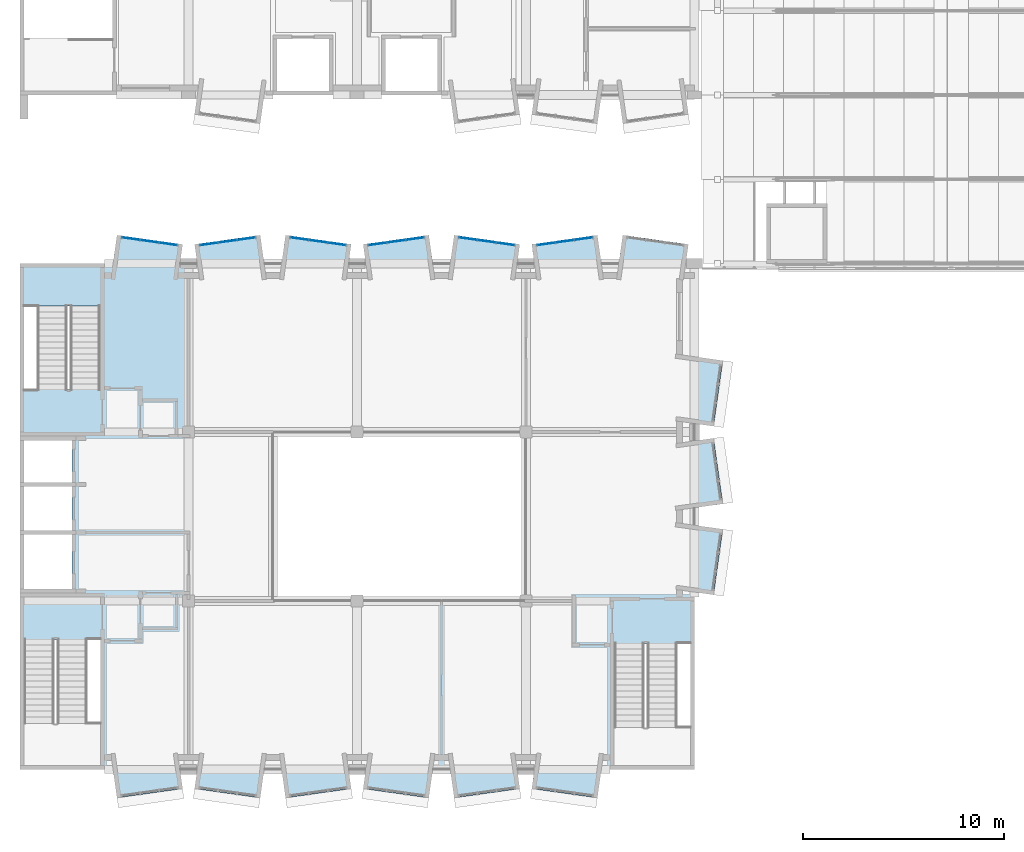
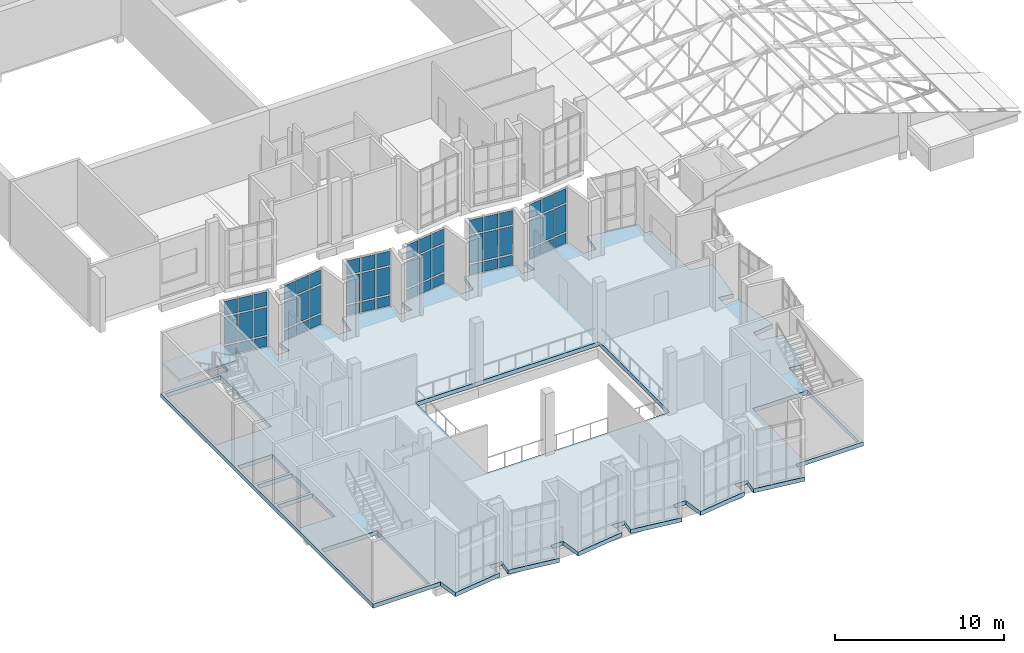
# One storey, part 69 of 95: 54 plates, 2 slabs, 7 elements without a shape of their own.
"""IFC4 building model written with IfcOpenShell, lengths in metres."""

from ifc_helpers import new_model, si_unit, direction, frame, origin, origin_2d, place, context, subcontext, project, spatial, polyline, rectangle, outline, extrude, material, layer, layer_set, type_object, element, aggregate, save


model = new_model("IFC4")

# Units and contexts
model_context = context("Model", 3, precision=1e-05, world=origin(), true_north=direction((0.0, 1.0)))
body_context = subcontext(model_context, "Body", "Model", "MODEL_VIEW")
ifc_project = project(units=[si_unit("LENGTHUNIT", "METRE"), si_unit("AREAUNIT", "SQUARE_METRE"), si_unit("VOLUMEUNIT", "CUBIC_METRE"), si_unit("PLANEANGLEUNIT", "RADIAN"), si_unit("MASSUNIT", "GRAM", prefix="KILO")], contexts=[model_context])

# Site, building, storey
site_placement = place(None, origin())
site = spatial("IfcSite", under=ifc_project, at=site_placement, CompositionType="ELEMENT")
building_placement = place(site_placement, origin())
building = spatial("IfcBuilding", under=site, at=building_placement, Name="Kiln Court Media Centre", CompositionType="ELEMENT")
storey_placement = place(building_placement, frame((0.0, 0.0, 24.60009765625)))
storey = spatial("IfcBuildingStorey", under=building, at=storey_placement, Name="L05", CompositionType="ELEMENT", Elevation=24.60009765625)

# Slab
ifc_material_1 = material(Name="Concrete C30/37", Category="concrete")
ifc_layer_1 = layer(ifc_material_1, 0.300048828125)
ifc_layer_set_1 = layer_set([ifc_layer_1], Name="Concrete C30/37 floor slab 300")
slab_type_1 = type_object("IfcSlabType", Name="Concrete C30/37 floor slab 300", PredefinedType="FLOOR", material=ifc_layer_set_1)
slab_1_placement = place(storey_placement, frame((0.0, 0.0, -0.300048828125)))
element("IfcSlab", 1, at=slab_1_placement, inside=storey, type_object=slab_type_1, Name="L05-SL-1000", PredefinedType="FLOOR", context=body_context, shape_type="SweptSolid", body=[
    extrude(outline(polyline([(4.8330078125, -1.41845703125), (4.63330078125, 0.0), (0.0, 0.0), (0.0, 25.199951171875), (4.63330078125, 25.199951171875), (4.8330078125, 26.618408203125), (8.10107421875, 26.1591796875), (7.966796875, 25.199951171875), (8.833251953125, 25.199951171875), (8.698974609375, 26.1591796875), (11.966796875, 26.618408203125), (12.166748046875, 25.199951171875), (13.033203125, 25.199951171875), (13.23291015625, 26.618408203125), (16.501220703125, 26.1591796875), (16.36669921875, 25.199951171875), (17.2333984375, 25.199951171875), (17.098876953125, 26.1591796875), (20.366943359375, 26.618408203125), (20.566650390625, 25.199951171875), (21.433349609375, 25.199951171875), (21.633056640625, 26.618408203125), (24.901123046875, 26.1591796875), (24.7666015625, 25.199951171875), (25.63330078125, 25.199951171875), (25.498779296875, 26.1591796875), (28.766845703125, 26.618408203125), (28.966796875, 25.199951171875), (29.833251953125, 25.199951171875), (30.032958984375, 26.618408203125), (33.30126953125, 26.1591796875), (33.166748046875, 25.199951171875), (33.60009765625, 25.199951171875), (33.60009765625, 20.566650390625), (35.0185546875, 20.366943359375), (34.55908203125, 17.098876953125), (33.60009765625, 17.2333984375), (33.60009765625, 16.36669921875), (34.55908203125, 16.501220703125), (35.0185546875, 13.233154296875), (33.60009765625, 13.033203125), (33.60009765625, 12.166748046875), (35.0185546875, 11.966796875), (34.55908203125, 8.698974609375), (33.60009765625, 8.833251953125), (33.60009765625, 0.0), (28.966796875, 0.0), (28.766845703125, -1.41845703125), (25.498779296875, -0.958984375), (25.63330078125, 0.0), (24.7666015625, 0.0), (24.901123046875, -0.959228515625), (21.633056640625, -1.41845703125), (21.433349609375, 0.0), (20.566650390625, 0.0), (20.366943359375, -1.41845703125), (17.098876953125, -0.958984375), (17.2333984375, 0.0), (16.36669921875, 0.0), (16.501220703125, -0.959228515625), (13.233154296875, -1.41845703125), (13.033203125, 0.0), (12.166748046875, 0.0), (11.966796875, -1.41845703125), (8.698974609375, -0.959228515625), (8.833251953125, 0.0), (7.966796875, 0.0), (8.10107421875, -0.958984375), (4.8330078125, -1.41845703125)]), holes=[polyline([(0.199951171875, 0.199951171875), (4.0, 0.199951171875), (4.0, 6.4599609375), (0.199951171875, 6.4599609375), (0.199951171875, 0.199951171875)]), polyline([(29.60009765625, 0.199951171875), (33.39990234375, 0.199951171875), (33.39990234375, 6.260009765625), (29.60009765625, 6.260009765625), (29.60009765625, 0.199951171875)]), polyline([(12.60009765625, 8.39990234375), (25.199951171875, 8.39990234375), (25.199951171875, 16.800048828125), (12.60009765625, 16.800048828125), (12.60009765625, 8.39990234375)]), polyline([(0.199951171875, 9.0), (2.60009765625, 9.0), (2.60009765625, 11.699951171875), (0.199951171875, 11.699951171875), (0.199951171875, 9.0)]), polyline([(0.199951171875, 11.89990234375), (2.60009765625, 11.89990234375), (2.60009765625, 14.10009765625), (0.199951171875, 14.10009765625), (0.199951171875, 11.89990234375)]), polyline([(0.199951171875, 14.300048828125), (2.60009765625, 14.300048828125), (2.60009765625, 16.39990234375), (0.199951171875, 16.39990234375), (0.199951171875, 14.300048828125)]), polyline([(0.199951171875, 18.93994140625), (4.0, 18.93994140625), (4.0, 25.0), (0.199951171875, 25.0), (0.199951171875, 18.93994140625)])]), origin(), (0.0, 0.0, 1.0), 0.300048828125),
])

# Stair, slab
ifc_material_2 = material(Name="Concrete C40/50", Category="concrete")
stair_type = type_object("IfcStairType", Name="Concrete C40/50 dog-leg stair 1500 wide, 150 riser", PredefinedType="HALF_TURN_STAIR", material=ifc_material_2)
stair_placement = place(storey_placement, origin())
stair = element("IfcStair", 2, at=stair_placement, inside=storey, type_object=stair_type, Name="ST-02 L05", PredefinedType="HALF_TURN_STAIR")
ifc_material_3 = material(Name="Concrete C40/50", Category="concrete")
ifc_layer_2 = layer(ifc_material_3, 0.199951171875)
ifc_layer_set_2 = layer_set([ifc_layer_2], Name="Concrete C40/50 stair landing 200")
slab_type_2 = type_object("IfcSlabType", Name="Concrete C40/50 stair landing 200", PredefinedType="LANDING", material=ifc_layer_set_2)
slab_2_placement = place(storey_placement, frame((0.0, 0.0, 2.0498046875)))
slab_2 = element("IfcSlab", 3, at=slab_2_placement, type_object=slab_type_2, Name="L05-ST-5001 landing 5001", PredefinedType="LANDING", context=body_context, shape_type="SweptSolid", body=[
    extrude(outline(polyline([(4.1201171875, 23.10009765625), (4.1201171875, 25.1201171875), (0.080078125, 25.1201171875), (0.080078125, 23.10009765625), (4.1201171875, 23.10009765625)])), origin(), (0.0, 0.0, 1.0), 0.2001953125),
])
aggregate(stair, [slab_2])

# Curtain wall, plates
ifc_material_4 = material(Name="Aluminium 6063-T6", Category="aluminium")
ifc_layer_3 = layer(ifc_material_4, 0.1201171875)
ifc_layer_set_3 = layer_set([ifc_layer_3], Name="Aluminium unitised bay curtain wall")
curtain_wall_type = type_object("IfcCurtainWallType", Name="Aluminium unitised bay curtain wall", PredefinedType="USERDEFINED", material=ifc_layer_set_3)
curtain_wall_1_placement = place(storey_placement, origin())
curtain_wall_1 = element("IfcCurtainWall", 4, at=curtain_wall_1_placement, inside=storey, type_object=curtain_wall_type, Name="BAY V6A-N-L05-30 front", ObjectType="UNITISED CURTAIN WALL", PredefinedType="USERDEFINED")
ifc_material_5 = material(Name="Aluminium insulated spandrel", Category="aluminium")
ifc_layer_4 = layer(ifc_material_5, 0.028076171875)
ifc_layer_set_4 = layer_set([ifc_layer_4], Name="Insulated spandrel panel 28")
plate_type_1 = type_object("IfcPlateType", Name="Insulated spandrel panel 28", PredefinedType="CURTAIN_PANEL", material=ifc_layer_set_4)
plate_1_placement = place(storey_placement, frame((5.5234375, 26.440185546875, 0.1201171875), z_axis=(0.0, 0.0, 1.0), x_axis=(0.990269562409, -0.139162472554, 0.0)))
plate_1 = element("IfcPlate", 5, at=plate_1_placement, type_object=plate_type_1, Name="CW5-08 panel 1.1", PredefinedType="CURTAIN_PANEL", context=body_context, shape_type="SweptSolid", body=[
    extrude(rectangle(XDim=0.86669921875, YDim=0.028076171875, at=origin_2d()), origin(), (0.0, 0.0, 1.0), 0.719970703125),
])
plate_2_placement = place(storey_placement, frame((6.455810546875, 26.30908203125, 0.1201171875), z_axis=(0.0, 0.0, 1.0), x_axis=(0.990269562409, -0.139162472554, 0.0)))
plate_2 = element("IfcPlate", 6, at=plate_2_placement, type_object=plate_type_1, Name="CW5-08 panel 2.1", PredefinedType="CURTAIN_PANEL", context=body_context, shape_type="SweptSolid", body=[
    extrude(rectangle(XDim=0.896728515625, YDim=0.028076171875, at=origin_2d()), origin(), (0.0, 0.0, 1.0), 0.719970703125),
])
plate_3_placement = place(storey_placement, frame((7.388427734375, 26.177978515625, 0.1201171875), z_axis=(0.0, 0.0, 1.0), x_axis=(0.990269562409, -0.139162472554, 0.0)))
plate_3 = element("IfcPlate", 7, at=plate_3_placement, type_object=plate_type_1, Name="CW5-08 panel 3.1", PredefinedType="CURTAIN_PANEL", context=body_context, shape_type="SweptSolid", body=[
    extrude(rectangle(XDim=0.86669921875, YDim=0.028076171875, at=origin_2d()), origin(), (0.0, 0.0, 1.0), 0.719970703125),
])

curtain_wall_2_placement = place(storey_placement, origin())
curtain_wall_2 = element("IfcCurtainWall", 8, at=curtain_wall_2_placement, inside=storey, type_object=curtain_wall_type, Name="BAY V6A-N-L05-31 front", ObjectType="UNITISED CURTAIN WALL", PredefinedType="USERDEFINED")
plate_4_placement = place(storey_placement, frame((9.41162109375, 26.177978515625, 0.1201171875), z_axis=(0.0, 0.0, 1.0), x_axis=(0.990269562409, 0.139162472554, 0.0)))
plate_4 = element("IfcPlate", 9, at=plate_4_placement, type_object=plate_type_1, Name="CW5-09 panel 1.1", PredefinedType="CURTAIN_PANEL", context=body_context, shape_type="SweptSolid", body=[
    extrude(rectangle(XDim=0.86669921875, YDim=0.028076171875, at=origin_2d()), origin(), (0.0, 0.0, 1.0), 0.719970703125),
])
plate_5_placement = place(storey_placement, frame((10.34423828125, 26.30908203125, 0.1201171875), z_axis=(0.0, 0.0, 1.0), x_axis=(0.990269562409, 0.139162472554, 0.0)))
plate_5 = element("IfcPlate", 10, at=plate_5_placement, type_object=plate_type_1, Name="CW5-09 panel 2.1", PredefinedType="CURTAIN_PANEL", context=body_context, shape_type="SweptSolid", body=[
    extrude(rectangle(XDim=0.896728515625, YDim=0.028076171875, at=origin_2d()), origin(), (0.0, 0.0, 1.0), 0.719970703125),
])
plate_6_placement = place(storey_placement, frame((11.276611328125, 26.440185546875, 0.1201171875), z_axis=(0.0, 0.0, 1.0), x_axis=(0.990269562409, 0.139162472554, 0.0)))
plate_6 = element("IfcPlate", 11, at=plate_6_placement, type_object=plate_type_1, Name="CW5-09 panel 3.1", PredefinedType="CURTAIN_PANEL", context=body_context, shape_type="SweptSolid", body=[
    extrude(rectangle(XDim=0.86669921875, YDim=0.028076171875, at=origin_2d()), origin(), (0.0, 0.0, 1.0), 0.719970703125),
])

curtain_wall_3_placement = place(storey_placement, origin())
curtain_wall_3 = element("IfcCurtainWall", 12, at=curtain_wall_3_placement, inside=storey, type_object=curtain_wall_type, Name="BAY V6A-N-L05-32 front", ObjectType="UNITISED CURTAIN WALL", PredefinedType="USERDEFINED")
plate_7_placement = place(storey_placement, frame((13.92333984375, 26.440185546875, 0.1201171875), z_axis=(0.0, 0.0, 1.0), x_axis=(0.990269562409, -0.139162472554, 0.0)))
plate_7 = element("IfcPlate", 13, at=plate_7_placement, type_object=plate_type_1, Name="CW5-10 panel 1.1", PredefinedType="CURTAIN_PANEL", context=body_context, shape_type="SweptSolid", body=[
    extrude(rectangle(XDim=0.86669921875, YDim=0.028076171875, at=origin_2d()), origin(), (0.0, 0.0, 1.0), 0.719970703125),
])
plate_8_placement = place(storey_placement, frame((14.85595703125, 26.30908203125, 0.1201171875), z_axis=(0.0, 0.0, 1.0), x_axis=(0.990269562409, -0.139162472554, 0.0)))
plate_8 = element("IfcPlate", 14, at=plate_8_placement, type_object=plate_type_1, Name="CW5-10 panel 2.1", PredefinedType="CURTAIN_PANEL", context=body_context, shape_type="SweptSolid", body=[
    extrude(rectangle(XDim=0.896728515625, YDim=0.028076171875, at=origin_2d()), origin(), (0.0, 0.0, 1.0), 0.719970703125),
])
plate_9_placement = place(storey_placement, frame((15.788330078125, 26.177978515625, 0.1201171875), z_axis=(0.0, 0.0, 1.0), x_axis=(0.990269562409, -0.139162472554, 0.0)))
plate_9 = element("IfcPlate", 15, at=plate_9_placement, type_object=plate_type_1, Name="CW5-10 panel 3.1", PredefinedType="CURTAIN_PANEL", context=body_context, shape_type="SweptSolid", body=[
    extrude(rectangle(XDim=0.86669921875, YDim=0.028076171875, at=origin_2d()), origin(), (0.0, 0.0, 1.0), 0.719970703125),
])

curtain_wall_4_placement = place(storey_placement, origin())
curtain_wall_4 = element("IfcCurtainWall", 16, at=curtain_wall_4_placement, inside=storey, type_object=curtain_wall_type, Name="BAY V6A-N-L05-33 front", ObjectType="UNITISED CURTAIN WALL", PredefinedType="USERDEFINED")
plate_10_placement = place(storey_placement, frame((17.8115234375, 26.177978515625, 0.1201171875), z_axis=(0.0, 0.0, 1.0), x_axis=(0.990269562409, 0.139162472554, 0.0)))
plate_10 = element("IfcPlate", 17, at=plate_10_placement, type_object=plate_type_1, Name="CW5-11 panel 1.1", PredefinedType="CURTAIN_PANEL", context=body_context, shape_type="SweptSolid", body=[
    extrude(rectangle(XDim=0.86669921875, YDim=0.028076171875, at=origin_2d()), origin(), (0.0, 0.0, 1.0), 0.719970703125),
])
plate_11_placement = place(storey_placement, frame((18.744140625, 26.30908203125, 0.1201171875), z_axis=(0.0, 0.0, 1.0), x_axis=(0.990269562409, 0.139162472554, 0.0)))
plate_11 = element("IfcPlate", 18, at=plate_11_placement, type_object=plate_type_1, Name="CW5-11 panel 2.1", PredefinedType="CURTAIN_PANEL", context=body_context, shape_type="SweptSolid", body=[
    extrude(rectangle(XDim=0.896728515625, YDim=0.028076171875, at=origin_2d()), origin(), (0.0, 0.0, 1.0), 0.719970703125),
])
plate_12_placement = place(storey_placement, frame((19.6767578125, 26.440185546875, 0.1201171875), z_axis=(0.0, 0.0, 1.0), x_axis=(0.990269562409, 0.139162472554, 0.0)))
plate_12 = element("IfcPlate", 19, at=plate_12_placement, type_object=plate_type_1, Name="CW5-11 panel 3.1", PredefinedType="CURTAIN_PANEL", context=body_context, shape_type="SweptSolid", body=[
    extrude(rectangle(XDim=0.86669921875, YDim=0.028076171875, at=origin_2d()), origin(), (0.0, 0.0, 1.0), 0.719970703125),
])

curtain_wall_5_placement = place(storey_placement, origin())
curtain_wall_5 = element("IfcCurtainWall", 20, at=curtain_wall_5_placement, inside=storey, type_object=curtain_wall_type, Name="BAY V6A-N-L05-34 front", ObjectType="UNITISED CURTAIN WALL", PredefinedType="USERDEFINED")
plate_13_placement = place(storey_placement, frame((22.3232421875, 26.440185546875, 0.1201171875), z_axis=(0.0, 0.0, 1.0), x_axis=(0.990269562409, -0.139162472554, 0.0)))
plate_13 = element("IfcPlate", 21, at=plate_13_placement, type_object=plate_type_1, Name="CW5-12 panel 1.1", PredefinedType="CURTAIN_PANEL", context=body_context, shape_type="SweptSolid", body=[
    extrude(rectangle(XDim=0.86669921875, YDim=0.028076171875, at=origin_2d()), origin(), (0.0, 0.0, 1.0), 0.719970703125),
])
plate_14_placement = place(storey_placement, frame((23.255859375, 26.30908203125, 0.1201171875), z_axis=(0.0, 0.0, 1.0), x_axis=(0.990269562409, -0.139162472554, 0.0)))
plate_14 = element("IfcPlate", 22, at=plate_14_placement, type_object=plate_type_1, Name="CW5-12 panel 2.1", PredefinedType="CURTAIN_PANEL", context=body_context, shape_type="SweptSolid", body=[
    extrude(rectangle(XDim=0.896728515625, YDim=0.028076171875, at=origin_2d()), origin(), (0.0, 0.0, 1.0), 0.719970703125),
])
plate_15_placement = place(storey_placement, frame((24.1884765625, 26.177978515625, 0.1201171875), z_axis=(0.0, 0.0, 1.0), x_axis=(0.990269562409, -0.139162472554, 0.0)))
plate_15 = element("IfcPlate", 23, at=plate_15_placement, type_object=plate_type_1, Name="CW5-12 panel 3.1", PredefinedType="CURTAIN_PANEL", context=body_context, shape_type="SweptSolid", body=[
    extrude(rectangle(XDim=0.86669921875, YDim=0.028076171875, at=origin_2d()), origin(), (0.0, 0.0, 1.0), 0.719970703125),
])

curtain_wall_6_placement = place(storey_placement, origin())
curtain_wall_6 = element("IfcCurtainWall", 24, at=curtain_wall_6_placement, inside=storey, type_object=curtain_wall_type, Name="BAY V6A-N-L05-35 front", ObjectType="UNITISED CURTAIN WALL", PredefinedType="USERDEFINED")
plate_16_placement = place(storey_placement, frame((26.211669921875, 26.177978515625, 0.1201171875), z_axis=(0.0, 0.0, 1.0), x_axis=(0.990269562409, 0.139162472554, 0.0)))
plate_16 = element("IfcPlate", 25, at=plate_16_placement, type_object=plate_type_1, Name="CW5-13 panel 1.1", PredefinedType="CURTAIN_PANEL", context=body_context, shape_type="SweptSolid", body=[
    extrude(rectangle(XDim=0.86669921875, YDim=0.028076171875, at=origin_2d()), origin(), (0.0, 0.0, 1.0), 0.719970703125),
])
plate_17_placement = place(storey_placement, frame((27.14404296875, 26.30908203125, 0.1201171875), z_axis=(0.0, 0.0, 1.0), x_axis=(0.990269562409, 0.139162472554, 0.0)))
plate_17 = element("IfcPlate", 26, at=plate_17_placement, type_object=plate_type_1, Name="CW5-13 panel 2.1", PredefinedType="CURTAIN_PANEL", context=body_context, shape_type="SweptSolid", body=[
    extrude(rectangle(XDim=0.896728515625, YDim=0.028076171875, at=origin_2d()), origin(), (0.0, 0.0, 1.0), 0.719970703125),
])
plate_18_placement = place(storey_placement, frame((28.07666015625, 26.440185546875, 0.1201171875), z_axis=(0.0, 0.0, 1.0), x_axis=(0.990269562409, 0.139162472554, 0.0)))
plate_18 = element("IfcPlate", 27, at=plate_18_placement, type_object=plate_type_1, Name="CW5-13 panel 3.1", PredefinedType="CURTAIN_PANEL", context=body_context, shape_type="SweptSolid", body=[
    extrude(rectangle(XDim=0.86669921875, YDim=0.028076171875, at=origin_2d()), origin(), (0.0, 0.0, 1.0), 0.719970703125),
])

# Plate
ifc_material_6 = material(Name="Low-E double glazing", Category="glass")
ifc_layer_5 = layer(ifc_material_6, 0.028076171875)
ifc_layer_set_5 = layer_set([ifc_layer_5], Name="Low-E double glazed panel 28")
plate_type_2 = type_object("IfcPlateType", Name="Low-E double glazed panel 28", PredefinedType="CURTAIN_PANEL", material=ifc_layer_set_5)
plate_19_placement = place(storey_placement, frame((5.5234375, 26.440185546875, 0.9599609375), z_axis=(0.0, 0.0, 1.0), x_axis=(0.990269562409, -0.139162472554, 0.0)))
plate_19 = element("IfcPlate", 28, at=plate_19_placement, type_object=plate_type_2, Name="CW5-08 panel 1.2", PredefinedType="CURTAIN_PANEL", context=body_context, shape_type="SweptSolid", body=[
    extrude(rectangle(XDim=0.86669921875, YDim=0.028076171875, at=origin_2d()), origin(), (0.0, 0.0, 1.0), 1.97998046875),
])

plate_20_placement = place(storey_placement, frame((5.5234375, 26.440185546875, 3.059814453125), z_axis=(0.0, 0.0, 1.0), x_axis=(0.990269562409, -0.139162472554, 0.0)))
plate_20 = element("IfcPlate", 29, at=plate_20_placement, type_object=plate_type_2, Name="CW5-08 panel 1.3", PredefinedType="CURTAIN_PANEL", context=body_context, shape_type="SweptSolid", body=[
    extrude(rectangle(XDim=0.86669921875, YDim=0.028076171875, at=origin_2d()), origin(), (0.0, 0.0, 1.0), 1.02001953125),
])

plate_21_placement = place(storey_placement, frame((6.455810546875, 26.30908203125, 0.9599609375), z_axis=(0.0, 0.0, 1.0), x_axis=(0.990269562409, -0.139162472554, 0.0)))
plate_21 = element("IfcPlate", 30, at=plate_21_placement, type_object=plate_type_2, Name="CW5-08 panel 2.2", PredefinedType="CURTAIN_PANEL", context=body_context, shape_type="SweptSolid", body=[
    extrude(rectangle(XDim=0.896728515625, YDim=0.028076171875, at=origin_2d()), origin(), (0.0, 0.0, 1.0), 1.97998046875),
])

plate_22_placement = place(storey_placement, frame((6.455810546875, 26.30908203125, 3.059814453125), z_axis=(0.0, 0.0, 1.0), x_axis=(0.990269562409, -0.139162472554, 0.0)))
plate_22 = element("IfcPlate", 31, at=plate_22_placement, type_object=plate_type_2, Name="CW5-08 panel 2.3", PredefinedType="CURTAIN_PANEL", context=body_context, shape_type="SweptSolid", body=[
    extrude(rectangle(XDim=0.896728515625, YDim=0.028076171875, at=origin_2d()), origin(), (0.0, 0.0, 1.0), 1.02001953125),
])

plate_23_placement = place(storey_placement, frame((7.388427734375, 26.177978515625, 0.9599609375), z_axis=(0.0, 0.0, 1.0), x_axis=(0.990269562409, -0.139162472554, 0.0)))
plate_23 = element("IfcPlate", 32, at=plate_23_placement, type_object=plate_type_2, Name="CW5-08 panel 3.2", PredefinedType="CURTAIN_PANEL", context=body_context, shape_type="SweptSolid", body=[
    extrude(rectangle(XDim=0.86669921875, YDim=0.028076171875, at=origin_2d()), origin(), (0.0, 0.0, 1.0), 1.97998046875),
])

plate_24_placement = place(storey_placement, frame((7.388427734375, 26.177978515625, 3.059814453125), z_axis=(0.0, 0.0, 1.0), x_axis=(0.990269562409, -0.139162472554, 0.0)))
plate_24 = element("IfcPlate", 33, at=plate_24_placement, type_object=plate_type_2, Name="CW5-08 panel 3.3", PredefinedType="CURTAIN_PANEL", context=body_context, shape_type="SweptSolid", body=[
    extrude(rectangle(XDim=0.86669921875, YDim=0.028076171875, at=origin_2d()), origin(), (0.0, 0.0, 1.0), 1.02001953125),
])

aggregate(curtain_wall_1, [plate_1, plate_19, plate_20, plate_2, plate_21, plate_22, plate_3, plate_23, plate_24])

plate_25_placement = place(storey_placement, frame((9.41162109375, 26.177978515625, 0.9599609375), z_axis=(0.0, 0.0, 1.0), x_axis=(0.990269562409, 0.139162472554, 0.0)))
plate_25 = element("IfcPlate", 34, at=plate_25_placement, type_object=plate_type_2, Name="CW5-09 panel 1.2", PredefinedType="CURTAIN_PANEL", context=body_context, shape_type="SweptSolid", body=[
    extrude(rectangle(XDim=0.86669921875, YDim=0.028076171875, at=origin_2d()), origin(), (0.0, 0.0, 1.0), 1.97998046875),
])

plate_26_placement = place(storey_placement, frame((9.41162109375, 26.177978515625, 3.059814453125), z_axis=(0.0, 0.0, 1.0), x_axis=(0.990269562409, 0.139162472554, 0.0)))
plate_26 = element("IfcPlate", 35, at=plate_26_placement, type_object=plate_type_2, Name="CW5-09 panel 1.3", PredefinedType="CURTAIN_PANEL", context=body_context, shape_type="SweptSolid", body=[
    extrude(rectangle(XDim=0.86669921875, YDim=0.028076171875, at=origin_2d()), origin(), (0.0, 0.0, 1.0), 1.02001953125),
])

plate_27_placement = place(storey_placement, frame((10.34423828125, 26.30908203125, 0.9599609375), z_axis=(0.0, 0.0, 1.0), x_axis=(0.990269562409, 0.139162472554, 0.0)))
plate_27 = element("IfcPlate", 36, at=plate_27_placement, type_object=plate_type_2, Name="CW5-09 panel 2.2", PredefinedType="CURTAIN_PANEL", context=body_context, shape_type="SweptSolid", body=[
    extrude(rectangle(XDim=0.896728515625, YDim=0.028076171875, at=origin_2d()), origin(), (0.0, 0.0, 1.0), 1.97998046875),
])

plate_28_placement = place(storey_placement, frame((10.34423828125, 26.30908203125, 3.059814453125), z_axis=(0.0, 0.0, 1.0), x_axis=(0.990269562409, 0.139162472554, 0.0)))
plate_28 = element("IfcPlate", 37, at=plate_28_placement, type_object=plate_type_2, Name="CW5-09 panel 2.3", PredefinedType="CURTAIN_PANEL", context=body_context, shape_type="SweptSolid", body=[
    extrude(rectangle(XDim=0.896728515625, YDim=0.028076171875, at=origin_2d()), origin(), (0.0, 0.0, 1.0), 1.02001953125),
])

plate_29_placement = place(storey_placement, frame((11.276611328125, 26.440185546875, 0.9599609375), z_axis=(0.0, 0.0, 1.0), x_axis=(0.990269562409, 0.139162472554, 0.0)))
plate_29 = element("IfcPlate", 38, at=plate_29_placement, type_object=plate_type_2, Name="CW5-09 panel 3.2", PredefinedType="CURTAIN_PANEL", context=body_context, shape_type="SweptSolid", body=[
    extrude(rectangle(XDim=0.86669921875, YDim=0.028076171875, at=origin_2d()), origin(), (0.0, 0.0, 1.0), 1.97998046875),
])

plate_30_placement = place(storey_placement, frame((11.276611328125, 26.440185546875, 3.059814453125), z_axis=(0.0, 0.0, 1.0), x_axis=(0.990269562409, 0.139162472554, 0.0)))
plate_30 = element("IfcPlate", 39, at=plate_30_placement, type_object=plate_type_2, Name="CW5-09 panel 3.3", PredefinedType="CURTAIN_PANEL", context=body_context, shape_type="SweptSolid", body=[
    extrude(rectangle(XDim=0.86669921875, YDim=0.028076171875, at=origin_2d()), origin(), (0.0, 0.0, 1.0), 1.02001953125),
])

aggregate(curtain_wall_2, [plate_4, plate_25, plate_26, plate_5, plate_27, plate_28, plate_6, plate_29, plate_30])

plate_31_placement = place(storey_placement, frame((13.92333984375, 26.440185546875, 0.9599609375), z_axis=(0.0, 0.0, 1.0), x_axis=(0.990269562409, -0.139162472554, 0.0)))
plate_31 = element("IfcPlate", 40, at=plate_31_placement, type_object=plate_type_2, Name="CW5-10 panel 1.2", PredefinedType="CURTAIN_PANEL", context=body_context, shape_type="SweptSolid", body=[
    extrude(rectangle(XDim=0.86669921875, YDim=0.028076171875, at=origin_2d()), origin(), (0.0, 0.0, 1.0), 1.97998046875),
])

plate_32_placement = place(storey_placement, frame((13.92333984375, 26.440185546875, 3.059814453125), z_axis=(0.0, 0.0, 1.0), x_axis=(0.990269562409, -0.139162472554, 0.0)))
plate_32 = element("IfcPlate", 41, at=plate_32_placement, type_object=plate_type_2, Name="CW5-10 panel 1.3", PredefinedType="CURTAIN_PANEL", context=body_context, shape_type="SweptSolid", body=[
    extrude(rectangle(XDim=0.86669921875, YDim=0.028076171875, at=origin_2d()), origin(), (0.0, 0.0, 1.0), 1.02001953125),
])

plate_33_placement = place(storey_placement, frame((14.85595703125, 26.30908203125, 0.9599609375), z_axis=(0.0, 0.0, 1.0), x_axis=(0.990269562409, -0.139162472554, 0.0)))
plate_33 = element("IfcPlate", 42, at=plate_33_placement, type_object=plate_type_2, Name="CW5-10 panel 2.2", PredefinedType="CURTAIN_PANEL", context=body_context, shape_type="SweptSolid", body=[
    extrude(rectangle(XDim=0.896728515625, YDim=0.028076171875, at=origin_2d()), origin(), (0.0, 0.0, 1.0), 1.97998046875),
])

plate_34_placement = place(storey_placement, frame((14.85595703125, 26.30908203125, 3.059814453125), z_axis=(0.0, 0.0, 1.0), x_axis=(0.990269562409, -0.139162472554, 0.0)))
plate_34 = element("IfcPlate", 43, at=plate_34_placement, type_object=plate_type_2, Name="CW5-10 panel 2.3", PredefinedType="CURTAIN_PANEL", context=body_context, shape_type="SweptSolid", body=[
    extrude(rectangle(XDim=0.896728515625, YDim=0.028076171875, at=origin_2d()), origin(), (0.0, 0.0, 1.0), 1.02001953125),
])

plate_35_placement = place(storey_placement, frame((15.788330078125, 26.177978515625, 0.9599609375), z_axis=(0.0, 0.0, 1.0), x_axis=(0.990269562409, -0.139162472554, 0.0)))
plate_35 = element("IfcPlate", 44, at=plate_35_placement, type_object=plate_type_2, Name="CW5-10 panel 3.2", PredefinedType="CURTAIN_PANEL", context=body_context, shape_type="SweptSolid", body=[
    extrude(rectangle(XDim=0.86669921875, YDim=0.028076171875, at=origin_2d()), origin(), (0.0, 0.0, 1.0), 1.97998046875),
])

plate_36_placement = place(storey_placement, frame((15.788330078125, 26.177978515625, 3.059814453125), z_axis=(0.0, 0.0, 1.0), x_axis=(0.990269562409, -0.139162472554, 0.0)))
plate_36 = element("IfcPlate", 45, at=plate_36_placement, type_object=plate_type_2, Name="CW5-10 panel 3.3", PredefinedType="CURTAIN_PANEL", context=body_context, shape_type="SweptSolid", body=[
    extrude(rectangle(XDim=0.86669921875, YDim=0.028076171875, at=origin_2d()), origin(), (0.0, 0.0, 1.0), 1.02001953125),
])

aggregate(curtain_wall_3, [plate_7, plate_31, plate_32, plate_8, plate_33, plate_34, plate_9, plate_35, plate_36])

plate_37_placement = place(storey_placement, frame((17.8115234375, 26.177978515625, 0.9599609375), z_axis=(0.0, 0.0, 1.0), x_axis=(0.990269562409, 0.139162472554, 0.0)))
plate_37 = element("IfcPlate", 46, at=plate_37_placement, type_object=plate_type_2, Name="CW5-11 panel 1.2", PredefinedType="CURTAIN_PANEL", context=body_context, shape_type="SweptSolid", body=[
    extrude(rectangle(XDim=0.86669921875, YDim=0.028076171875, at=origin_2d()), origin(), (0.0, 0.0, 1.0), 1.97998046875),
])

plate_38_placement = place(storey_placement, frame((17.8115234375, 26.177978515625, 3.059814453125), z_axis=(0.0, 0.0, 1.0), x_axis=(0.990269562409, 0.139162472554, 0.0)))
plate_38 = element("IfcPlate", 47, at=plate_38_placement, type_object=plate_type_2, Name="CW5-11 panel 1.3", PredefinedType="CURTAIN_PANEL", context=body_context, shape_type="SweptSolid", body=[
    extrude(rectangle(XDim=0.86669921875, YDim=0.028076171875, at=origin_2d()), origin(), (0.0, 0.0, 1.0), 1.02001953125),
])

plate_39_placement = place(storey_placement, frame((18.744140625, 26.30908203125, 0.9599609375), z_axis=(0.0, 0.0, 1.0), x_axis=(0.990269562409, 0.139162472554, 0.0)))
plate_39 = element("IfcPlate", 48, at=plate_39_placement, type_object=plate_type_2, Name="CW5-11 panel 2.2", PredefinedType="CURTAIN_PANEL", context=body_context, shape_type="SweptSolid", body=[
    extrude(rectangle(XDim=0.896728515625, YDim=0.028076171875, at=origin_2d()), origin(), (0.0, 0.0, 1.0), 1.97998046875),
])

plate_40_placement = place(storey_placement, frame((18.744140625, 26.30908203125, 3.059814453125), z_axis=(0.0, 0.0, 1.0), x_axis=(0.990269562409, 0.139162472554, 0.0)))
plate_40 = element("IfcPlate", 49, at=plate_40_placement, type_object=plate_type_2, Name="CW5-11 panel 2.3", PredefinedType="CURTAIN_PANEL", context=body_context, shape_type="SweptSolid", body=[
    extrude(rectangle(XDim=0.896728515625, YDim=0.028076171875, at=origin_2d()), origin(), (0.0, 0.0, 1.0), 1.02001953125),
])

plate_41_placement = place(storey_placement, frame((19.6767578125, 26.440185546875, 0.9599609375), z_axis=(0.0, 0.0, 1.0), x_axis=(0.990269562409, 0.139162472554, 0.0)))
plate_41 = element("IfcPlate", 50, at=plate_41_placement, type_object=plate_type_2, Name="CW5-11 panel 3.2", PredefinedType="CURTAIN_PANEL", context=body_context, shape_type="SweptSolid", body=[
    extrude(rectangle(XDim=0.86669921875, YDim=0.028076171875, at=origin_2d()), origin(), (0.0, 0.0, 1.0), 1.97998046875),
])

plate_42_placement = place(storey_placement, frame((19.6767578125, 26.440185546875, 3.059814453125), z_axis=(0.0, 0.0, 1.0), x_axis=(0.990269562409, 0.139162472554, 0.0)))
plate_42 = element("IfcPlate", 51, at=plate_42_placement, type_object=plate_type_2, Name="CW5-11 panel 3.3", PredefinedType="CURTAIN_PANEL", context=body_context, shape_type="SweptSolid", body=[
    extrude(rectangle(XDim=0.86669921875, YDim=0.028076171875, at=origin_2d()), origin(), (0.0, 0.0, 1.0), 1.02001953125),
])

aggregate(curtain_wall_4, [plate_10, plate_37, plate_38, plate_11, plate_39, plate_40, plate_12, plate_41, plate_42])

plate_43_placement = place(storey_placement, frame((22.3232421875, 26.440185546875, 0.9599609375), z_axis=(0.0, 0.0, 1.0), x_axis=(0.990269562409, -0.139162472554, 0.0)))
plate_43 = element("IfcPlate", 52, at=plate_43_placement, type_object=plate_type_2, Name="CW5-12 panel 1.2", PredefinedType="CURTAIN_PANEL", context=body_context, shape_type="SweptSolid", body=[
    extrude(rectangle(XDim=0.86669921875, YDim=0.028076171875, at=origin_2d()), origin(), (0.0, 0.0, 1.0), 1.97998046875),
])

plate_44_placement = place(storey_placement, frame((22.3232421875, 26.440185546875, 3.059814453125), z_axis=(0.0, 0.0, 1.0), x_axis=(0.990269562409, -0.139162472554, 0.0)))
plate_44 = element("IfcPlate", 53, at=plate_44_placement, type_object=plate_type_2, Name="CW5-12 panel 1.3", PredefinedType="CURTAIN_PANEL", context=body_context, shape_type="SweptSolid", body=[
    extrude(rectangle(XDim=0.86669921875, YDim=0.028076171875, at=origin_2d()), origin(), (0.0, 0.0, 1.0), 1.02001953125),
])

plate_45_placement = place(storey_placement, frame((23.255859375, 26.30908203125, 0.9599609375), z_axis=(0.0, 0.0, 1.0), x_axis=(0.990269562409, -0.139162472554, 0.0)))
plate_45 = element("IfcPlate", 54, at=plate_45_placement, type_object=plate_type_2, Name="CW5-12 panel 2.2", PredefinedType="CURTAIN_PANEL", context=body_context, shape_type="SweptSolid", body=[
    extrude(rectangle(XDim=0.896728515625, YDim=0.028076171875, at=origin_2d()), origin(), (0.0, 0.0, 1.0), 1.97998046875),
])

plate_46_placement = place(storey_placement, frame((23.255859375, 26.30908203125, 3.059814453125), z_axis=(0.0, 0.0, 1.0), x_axis=(0.990269562409, -0.139162472554, 0.0)))
plate_46 = element("IfcPlate", 55, at=plate_46_placement, type_object=plate_type_2, Name="CW5-12 panel 2.3", PredefinedType="CURTAIN_PANEL", context=body_context, shape_type="SweptSolid", body=[
    extrude(rectangle(XDim=0.896728515625, YDim=0.028076171875, at=origin_2d()), origin(), (0.0, 0.0, 1.0), 1.02001953125),
])

plate_47_placement = place(storey_placement, frame((24.1884765625, 26.177978515625, 0.9599609375), z_axis=(0.0, 0.0, 1.0), x_axis=(0.990269562409, -0.139162472554, 0.0)))
plate_47 = element("IfcPlate", 56, at=plate_47_placement, type_object=plate_type_2, Name="CW5-12 panel 3.2", PredefinedType="CURTAIN_PANEL", context=body_context, shape_type="SweptSolid", body=[
    extrude(rectangle(XDim=0.86669921875, YDim=0.028076171875, at=origin_2d()), origin(), (0.0, 0.0, 1.0), 1.97998046875),
])

plate_48_placement = place(storey_placement, frame((24.1884765625, 26.177978515625, 3.059814453125), z_axis=(0.0, 0.0, 1.0), x_axis=(0.990269562409, -0.139162472554, 0.0)))
plate_48 = element("IfcPlate", 57, at=plate_48_placement, type_object=plate_type_2, Name="CW5-12 panel 3.3", PredefinedType="CURTAIN_PANEL", context=body_context, shape_type="SweptSolid", body=[
    extrude(rectangle(XDim=0.86669921875, YDim=0.028076171875, at=origin_2d()), origin(), (0.0, 0.0, 1.0), 1.02001953125),
])

aggregate(curtain_wall_5, [plate_13, plate_43, plate_44, plate_14, plate_45, plate_46, plate_15, plate_47, plate_48])

plate_49_placement = place(storey_placement, frame((26.211669921875, 26.177978515625, 0.9599609375), z_axis=(0.0, 0.0, 1.0), x_axis=(0.990269562409, 0.139162472554, 0.0)))
plate_49 = element("IfcPlate", 58, at=plate_49_placement, type_object=plate_type_2, Name="CW5-13 panel 1.2", PredefinedType="CURTAIN_PANEL", context=body_context, shape_type="SweptSolid", body=[
    extrude(rectangle(XDim=0.86669921875, YDim=0.028076171875, at=origin_2d()), origin(), (0.0, 0.0, 1.0), 1.97998046875),
])

plate_50_placement = place(storey_placement, frame((26.211669921875, 26.177978515625, 3.059814453125), z_axis=(0.0, 0.0, 1.0), x_axis=(0.990269562409, 0.139162472554, 0.0)))
plate_50 = element("IfcPlate", 59, at=plate_50_placement, type_object=plate_type_2, Name="CW5-13 panel 1.3", PredefinedType="CURTAIN_PANEL", context=body_context, shape_type="SweptSolid", body=[
    extrude(rectangle(XDim=0.86669921875, YDim=0.028076171875, at=origin_2d()), origin(), (0.0, 0.0, 1.0), 1.02001953125),
])

plate_51_placement = place(storey_placement, frame((27.14404296875, 26.30908203125, 0.9599609375), z_axis=(0.0, 0.0, 1.0), x_axis=(0.990269562409, 0.139162472554, 0.0)))
plate_51 = element("IfcPlate", 60, at=plate_51_placement, type_object=plate_type_2, Name="CW5-13 panel 2.2", PredefinedType="CURTAIN_PANEL", context=body_context, shape_type="SweptSolid", body=[
    extrude(rectangle(XDim=0.896728515625, YDim=0.028076171875, at=origin_2d()), origin(), (0.0, 0.0, 1.0), 1.97998046875),
])

plate_52_placement = place(storey_placement, frame((27.14404296875, 26.30908203125, 3.059814453125), z_axis=(0.0, 0.0, 1.0), x_axis=(0.990269562409, 0.139162472554, 0.0)))
plate_52 = element("IfcPlate", 61, at=plate_52_placement, type_object=plate_type_2, Name="CW5-13 panel 2.3", PredefinedType="CURTAIN_PANEL", context=body_context, shape_type="SweptSolid", body=[
    extrude(rectangle(XDim=0.896728515625, YDim=0.028076171875, at=origin_2d()), origin(), (0.0, 0.0, 1.0), 1.02001953125),
])

plate_53_placement = place(storey_placement, frame((28.07666015625, 26.440185546875, 0.9599609375), z_axis=(0.0, 0.0, 1.0), x_axis=(0.990269562409, 0.139162472554, 0.0)))
plate_53 = element("IfcPlate", 62, at=plate_53_placement, type_object=plate_type_2, Name="CW5-13 panel 3.2", PredefinedType="CURTAIN_PANEL", context=body_context, shape_type="SweptSolid", body=[
    extrude(rectangle(XDim=0.86669921875, YDim=0.028076171875, at=origin_2d()), origin(), (0.0, 0.0, 1.0), 1.97998046875),
])

plate_54_placement = place(storey_placement, frame((28.07666015625, 26.440185546875, 3.059814453125), z_axis=(0.0, 0.0, 1.0), x_axis=(0.990269562409, 0.139162472554, 0.0)))
plate_54 = element("IfcPlate", 63, at=plate_54_placement, type_object=plate_type_2, Name="CW5-13 panel 3.3", PredefinedType="CURTAIN_PANEL", context=body_context, shape_type="SweptSolid", body=[
    extrude(rectangle(XDim=0.86669921875, YDim=0.028076171875, at=origin_2d()), origin(), (0.0, 0.0, 1.0), 1.02001953125),
])

aggregate(curtain_wall_6, [plate_16, plate_49, plate_50, plate_17, plate_51, plate_52, plate_18, plate_53, plate_54])

save(model, "model.ifc")
